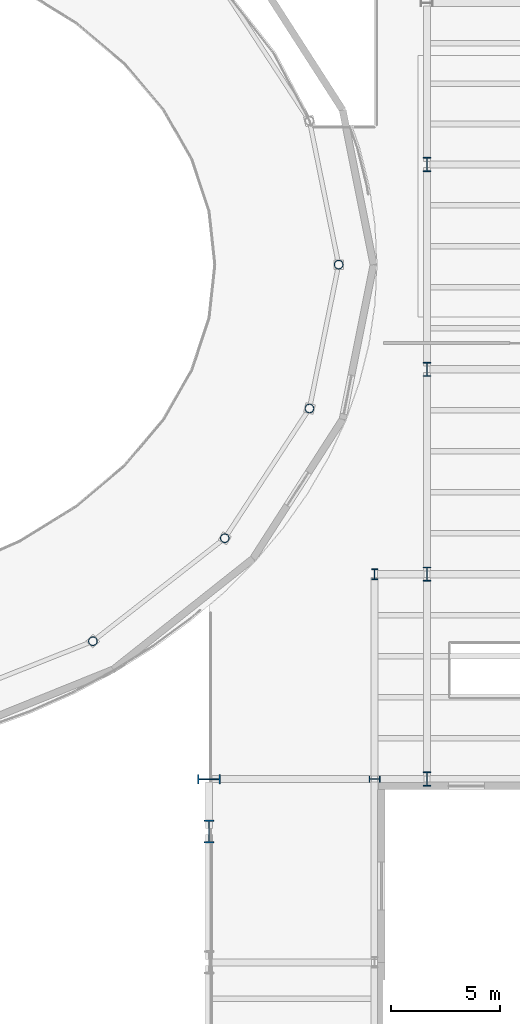
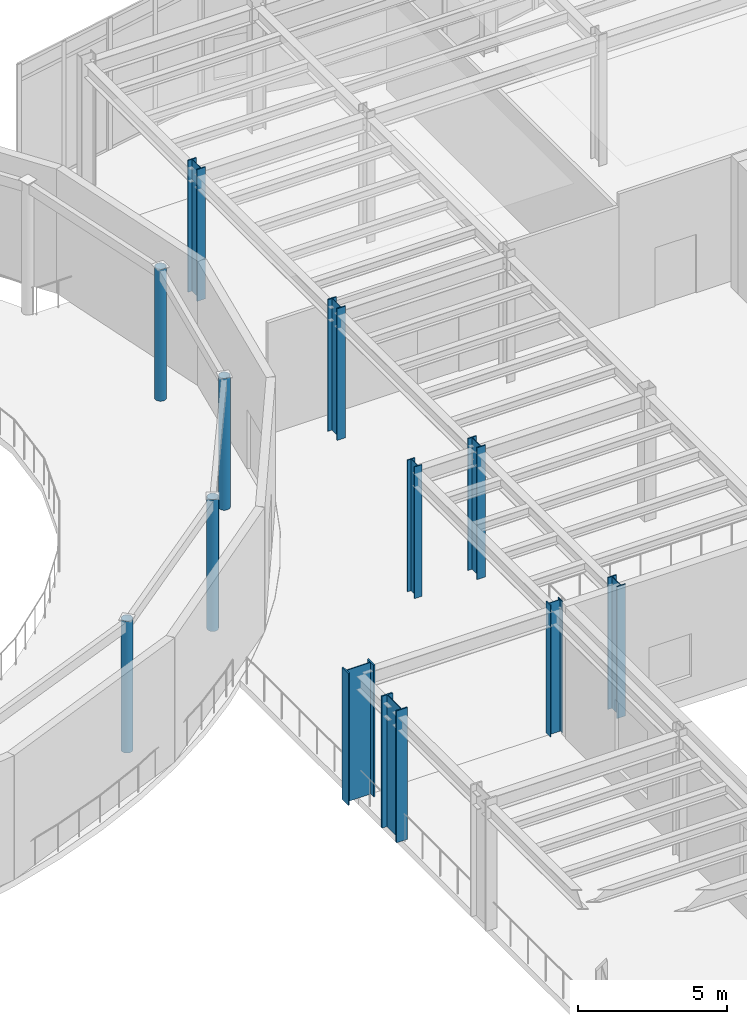
# One storey, part 8 of 98: 12 columns.
"""IFC4 building model written with IfcOpenShell, lengths in metres."""

from ifc_helpers import new_model, si_unit, direction, frame, origin, origin_2d, place, context, subcontext, project, spatial, hollow_circle, i_section, extrude, material, material_profile, profile_set, type_object, element, save


model = new_model("IFC4")

# Units and contexts
model_context = context("Model", 3, precision=1e-05, world=origin(), true_north=direction((0.0, 1.0)))
body_context = subcontext(model_context, "Body", "Model", "MODEL_VIEW")
ifc_project = project(units=[si_unit("LENGTHUNIT", "METRE"), si_unit("AREAUNIT", "SQUARE_METRE"), si_unit("VOLUMEUNIT", "CUBIC_METRE"), si_unit("PLANEANGLEUNIT", "RADIAN"), si_unit("MASSUNIT", "GRAM", prefix="KILO")], contexts=[model_context])

# Site, building, storey
site_placement = place(None, origin())
site = spatial("IfcSite", under=ifc_project, at=site_placement, CompositionType="ELEMENT")
building_placement = place(site_placement, origin())
building = spatial("IfcBuilding", under=site, at=building_placement, Name="Sollismere Congress Hotel", CompositionType="ELEMENT")
storey_placement = place(building_placement, frame((0.0, 0.0, 5.39990234375)))
storey = spatial("IfcBuildingStorey", under=building, at=storey_placement, Name="L01", CompositionType="ELEMENT", Elevation=5.39990234375)

# Columns
ifc_material_1 = material(Name="Steel ASTM A500 Grade C", Category="steel")
ifc_material_profile_1 = material_profile(ifc_material_1, hollow_circle(Radius=0.202880859375, WallThickness=0.01611328125, at=origin_2d()), Name="CHS406X16")
ifc_profile_set_1 = profile_set([ifc_material_profile_1], Name="Steel ASTM A500 Grade C")
column_type_1 = type_object("IfcColumnType", Name="COL-CHS406I", PredefinedType="COLUMN", material=ifc_profile_set_1)
for number, where, z_axis, x_axis, name in (
    (1, (56.35009765625, 90.39990234375, 0.0), (0.0, 0.0, 1.0), (1.0, 0.0, 0.0), "Column CL-L01-1149"),
    (2, (45.075927734375, 73.12744140625, 0.0), (0.0, 0.0, 1.0), (0.681359873953, -0.731948578909, 0.0), "Column CL-L01-1217"),
    (3, (51.126708984375, 77.850830078125, 0.0), (0.0, 0.0, 1.0), (0.869839554062, -0.493334724289, 0.0), "Column CL-L01-1221"),
    (4, (55.011474609375, 83.802490234375, 0.0), (0.0, 0.0, 1.0), (0.969316774365, -0.245814952628, 0.0), "Column CL-L01-1225"),
):
    element("IfcColumn", number, at=place(storey_placement, frame(where, z_axis=z_axis, x_axis=x_axis)), inside=storey, type_object=column_type_1, Name=name, PredefinedType="COLUMN", context=body_context, shape_type="SweptSolid", body=[
        extrude(hollow_circle(Radius=0.202880859375, WallThickness=0.01611328125, at=origin_2d()), origin(), (0.0, 0.0, 1.0), 5.400146484375),
    ])
ifc_material_2 = material(Name="Steel ASTM A992 Grade 50", Category="steel")
ifc_material_profile_2 = material_profile(ifc_material_2, i_section(OverallWidth=0.283935546875, OverallDepth=0.4951171875, WebThickness=0.0185546875, FlangeThickness=0.033447265625, at=origin_2d()), Name="W18X143")
ifc_profile_set_2 = profile_set([ifc_material_profile_2], Name="Steel ASTM A992 Grade 50")
column_type_2 = type_object("IfcColumnType", Name="COL-W18", PredefinedType="COLUMN", material=ifc_profile_set_2)
for number, where, z_axis, x_axis, name in (
    (5, (58.0, 66.800048828125, 0.0), (0.0, 0.0, 1.0), (0.0, 1.0, 0.0), "Column CL-L01-266"),
    (6, (58.0, 76.199951171875, 0.0), (0.0, 0.0, 1.0), (1.0, 0.0, 0.0), "Column CL-L01-270"),
):
    element("IfcColumn", number, at=place(storey_placement, frame(where, z_axis=z_axis, x_axis=x_axis)), inside=storey, type_object=column_type_2, Name=name, PredefinedType="COLUMN", context=body_context, shape_type="SweptSolid", body=[
        extrude(i_section(OverallWidth=0.283935546875, OverallDepth=0.4951171875, WebThickness=0.0185546875, FlangeThickness=0.033447265625, at=origin_2d()), origin(), (0.0, 0.0, 1.0), 5.400146484375),
    ])
ifc_material_profile_3 = material_profile(ifc_material_2, i_section(OverallWidth=0.3330078125, OverallDepth=0.659912109375, WebThickness=0.0244140625, FlangeThickness=0.0439453125, at=origin_2d()), Name="W24X229")
ifc_profile_set_3 = profile_set([ifc_material_profile_3], Name="Steel ASTM A992 Grade 50")
column_type_3 = type_object("IfcColumnType", Name="COL-W24", PredefinedType="COLUMN", material=ifc_profile_set_3)
for number, where, z_axis, x_axis, name in (
    (7, (60.39990234375, 66.800048828125, 0.0), (0.0, 0.0, 1.0), (1.0, 0.0, 0.0), "Column CL-L01-1059"),
    (8, (60.39990234375, 76.199951171875, 0.0), (0.0, 0.0, 1.0), (1.0, 0.0, 0.0), "Column CL-L01-1065"),
    (9, (60.39990234375, 85.60009765625, 0.0), (0.0, 0.0, 1.0), (1.0, 0.0, 0.0), "Column CL-L01-1071"),
    (10, (60.39990234375, 95.0, 0.0), (0.0, 0.0, 1.0), (1.0, 0.0, 0.0), "Column CL-L01-1077"),
):
    element("IfcColumn", number, at=place(storey_placement, frame(where, z_axis=z_axis, x_axis=x_axis)), inside=storey, type_object=column_type_3, Name=name, PredefinedType="COLUMN", context=body_context, shape_type="SweptSolid", body=[
        extrude(i_section(OverallWidth=0.3330078125, OverallDepth=0.659912109375, WebThickness=0.0244140625, FlangeThickness=0.0439453125, at=origin_2d()), origin(), (0.0, 0.0, 1.0), 5.400146484375),
    ])
ifc_material_profile_4 = material_profile(ifc_material_2, i_section(OverallWidth=0.427001953125, OverallDepth=1.041015625, WebThickness=0.031005859375, FlangeThickness=0.055908203125, at=origin_2d()), Name="W40X397")
ifc_profile_set_4 = profile_set([ifc_material_profile_4], Name="Steel ASTM A992 Grade 50")
column_type_4 = type_object("IfcColumnType", Name="COL-W40", PredefinedType="COLUMN", material=ifc_profile_set_4)
for number, where, z_axis, x_axis, name in (
    (11, (50.39990234375, 66.800048828125, 0.0), (0.0, 0.0, 1.0), (0.0, 1.0, 0.0), "Column CL-L01-223"),
    (12, (50.39990234375, 64.39990234375, 0.0), (0.0, 0.0, 1.0), (1.0, 0.0, 0.0), "Column CL-L01-1145"),
):
    element("IfcColumn", number, at=place(storey_placement, frame(where, z_axis=z_axis, x_axis=x_axis)), inside=storey, type_object=column_type_4, Name=name, PredefinedType="COLUMN", context=body_context, shape_type="SweptSolid", body=[
        extrude(i_section(OverallWidth=0.427001953125, OverallDepth=1.041015625, WebThickness=0.031005859375, FlangeThickness=0.055908203125, at=origin_2d()), origin(), (0.0, 0.0, 1.0), 5.400146484375),
    ])

save(model, "model.ifc")
